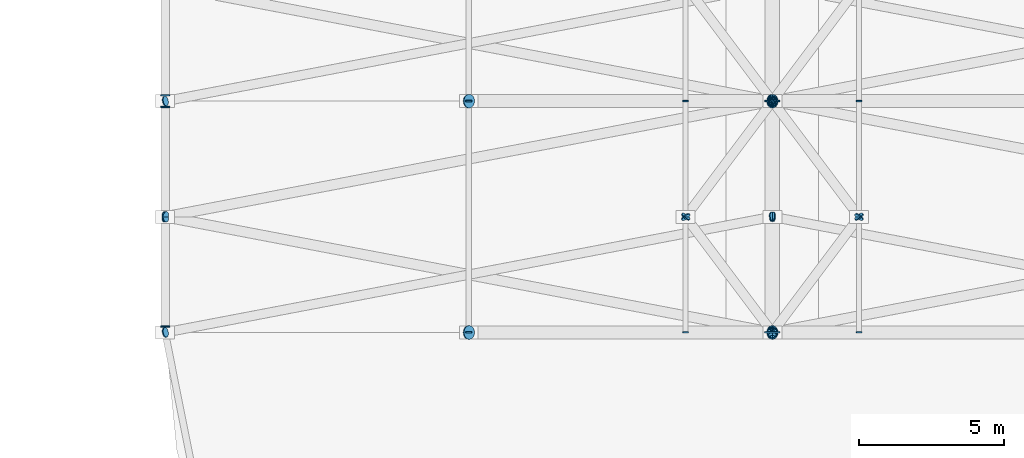
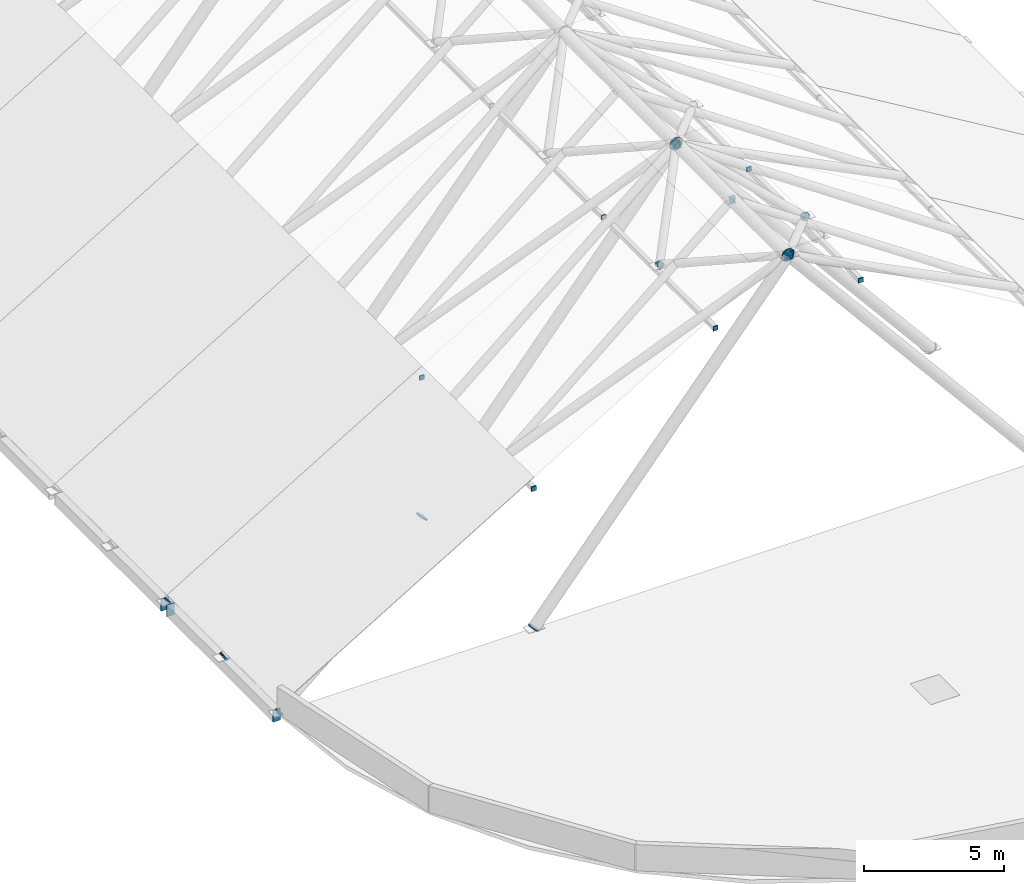
# One storey, part 22 of 44: 43 discrete accessories.
"""IFC4 building model written with IfcOpenShell, lengths in metres."""

from ifc_helpers import new_model, si_unit, direction, frame, origin, origin_2d, place, context, subcontext, project, spatial, rectangle, circle, extrude, material, element, save


model = new_model("IFC4")

# Units and contexts
model_context = context("Model", 3, precision=1e-05, world=origin(), true_north=direction((0.0, 1.0)))
body_context = subcontext(model_context, "Body", "Model", "MODEL_VIEW")
ifc_project = project(units=[si_unit("LENGTHUNIT", "METRE"), si_unit("AREAUNIT", "SQUARE_METRE"), si_unit("VOLUMEUNIT", "CUBIC_METRE"), si_unit("PLANEANGLEUNIT", "RADIAN"), si_unit("MASSUNIT", "GRAM", prefix="KILO")], contexts=[model_context])

# Site, building, storey
site_placement = place(None, origin())
site = spatial("IfcSite", under=ifc_project, at=site_placement, CompositionType="ELEMENT")
building_placement = place(site_placement, origin())
building = spatial("IfcBuilding", under=site, at=building_placement, Name="Marlcrest Central Station", CompositionType="ELEMENT")
storey_placement = place(building_placement, frame((0.0, 0.0, 19.5)))
storey = spatial("IfcBuildingStorey", under=building, at=storey_placement, Name="L04", CompositionType="ELEMENT", Elevation=19.5)

# Discrete accessories
ifc_material = material(Name="Steel S355", Category="steel")
for number, where, z_axis, x_axis, name in (
    (1, (97.490478515625, 22.5, -0.011474609375), (0.640181471429, 0.0, 0.768223719784), (0.0, 1.0, 0.0), "endcap-mem-ST-01-L04-02364-s"),
    (2, (107.98388671875, 22.5, 12.580810546875), (0.640181471429, 0.0, 0.768223719784), (0.0, 1.0, 0.0), "endcap-mem-ST-01-L04-02364-e"),
    (3, (108.01611328125, 22.5, 12.580810546875), (-0.640181471429, 0.0, 0.768223719784), (0.0, -1.0, 0.0), "endcap-mem-ST-01-L04-02365-e"),
    (4, (97.490478515625, 30.5, -0.011474609375), (0.640181471429, 0.0, 0.768223719784), (0.0, 1.0, 0.0), "endcap-mem-ST-01-L04-02366-s"),
    (5, (107.98388671875, 30.5, 12.580810546875), (0.640181471429, 0.0, 0.768223719784), (0.0, 1.0, 0.0), "endcap-mem-ST-01-L04-02366-e"),
    (6, (108.01611328125, 30.5, 12.580810546875), (-0.640181471429, 0.0, 0.768223719784), (0.0, -1.0, 0.0), "endcap-mem-ST-01-L04-02367-e"),
):
    element("IfcDiscreteAccessory", number, at=place(storey_placement, frame(where, z_axis=z_axis, x_axis=x_axis)), inside=storey, material=ifc_material, Name=name, ObjectType="END_CAP_PLATE", PredefinedType="BRACKET", context=body_context, shape_type="SweptSolid", body=[
        extrude(circle(Radius=0.236572265625, at=origin_2d()), origin(), (0.0, 0.0, 1.0), 0.0400390625),
    ])
for number, where, z_axis, x_axis, name in (
    (7, (87.0, 22.68505859375, -0.25), (0.0, 1.0, 0.0), (-1.0, 0.0, 0.0), "endcap-bm-SP-03-L04-01232-s"),
    (8, (87.0, 30.275146484375, -0.25), (0.0, 1.0, 0.0), (-1.0, 0.0, 0.0), "endcap-bm-SP-03-L04-01232-e"),
    (9, (87.0, 30.68505859375, -0.25), (0.0, 1.0, 0.0), (-1.0, 0.0, 0.0), "endcap-bm-SP-03-L04-01247-s"),
):
    element("IfcDiscreteAccessory", number, at=place(storey_placement, frame(where, z_axis=z_axis, x_axis=x_axis)), inside=storey, material=ifc_material, Name=name, ObjectType="END_CAP_PLATE", PredefinedType="BRACKET", context=body_context, shape_type="SweptSolid", body=[
        extrude(rectangle(XDim=0.31591796875, YDim=0.51611328125, at=origin_2d()), origin(), (0.0, 0.0, 1.0), 0.0400390625),
    ])
for number, where, z_axis, x_axis, name in (
    (10, (108.0, 22.485107421875, 12.60009765625), (0.0, 1.0, 0.0), (-1.0, 0.0, 0.0), "endcap-mem-SC-SP-L04-02380-s"),
    (11, (108.0, 30.47509765625, 12.60009765625), (0.0, 1.0, 0.0), (-1.0, 0.0, 0.0), "endcap-mem-SC-SP-L04-02380-e"),
):
    element("IfcDiscreteAccessory", number, at=place(storey_placement, frame(where, z_axis=z_axis, x_axis=x_axis)), inside=storey, material=ifc_material, Name=name, ObjectType="END_CAP_PLATE", PredefinedType="BRACKET", context=body_context, shape_type="SweptSolid", body=[
        extrude(circle(Radius=0.261962890625, at=origin_2d()), origin(), (0.0, 0.0, 1.0), 0.0400390625),
    ])
for number, where, z_axis, x_axis, name in (
    (12, (105.0, 22.485107421875, 10.449951171875), (0.0, 1.0, 0.0), (-1.0, 0.0, 0.0), "endcap-mem-PR-03-L04-02381-s"),
    (13, (105.0, 30.47509765625, 10.449951171875), (0.0, 1.0, 0.0), (-1.0, 0.0, 0.0), "endcap-mem-PR-03-L04-02381-e"),
):
    element("IfcDiscreteAccessory", number, at=place(storey_placement, frame(where, z_axis=z_axis, x_axis=x_axis)), inside=storey, material=ifc_material, Name=name, ObjectType="END_CAP_PLATE", PredefinedType="BRACKET", context=body_context, shape_type="SweptSolid", body=[
        extrude(rectangle(XDim=0.196044921875, YDim=0.196044921875, at=origin_2d()), origin(), (0.0, 0.0, 1.0), 0.0400390625),
    ])
for number, where, z_axis, x_axis, name in (
    (14, (108.008544921875, 22.48876953125, 12.605224609375), (-0.564530690126, 0.752707586834, -0.338727602401), (-0.8, -0.6, 0.0), "endcap-mem-FB-02-L04-02382-s"),
    (15, (105.01416015625, 26.481201171875, 10.80859375), (-0.564530690126, 0.752707586834, -0.338727602401), (-0.8, -0.6, 0.0), "endcap-mem-FB-02-L04-02382-e"),
    (16, (108.008544921875, 30.51123046875, 12.605224609375), (-0.564530690126, -0.752707586834, -0.338727602401), (0.8, -0.6, 0.0), "endcap-mem-FB-02-L04-02383-s"),
    (17, (105.01416015625, 26.518798828125, 10.80859375), (-0.564530690126, -0.752707586834, -0.338727602401), (0.8, -0.6, 0.0), "endcap-mem-FB-02-L04-02383-e"),
):
    element("IfcDiscreteAccessory", number, at=place(storey_placement, frame(where, z_axis=z_axis, x_axis=x_axis)), inside=storey, material=ifc_material, Name=name, ObjectType="END_CAP_PLATE", PredefinedType="BRACKET", context=body_context, shape_type="SweptSolid", body=[
        extrude(circle(Radius=0.169921875, at=origin_2d()), origin(), (0.0, 0.0, 1.0), 0.0400390625),
    ])
for number, where, z_axis, x_axis, name in (
    (18, (111.0, 22.485107421875, 10.449951171875), (0.0, 1.0, 0.0), (-1.0, 0.0, 0.0), "endcap-mem-PR-03-L04-02384-s"),
    (19, (111.0, 30.47509765625, 10.449951171875), (0.0, 1.0, 0.0), (-1.0, 0.0, 0.0), "endcap-mem-PR-03-L04-02384-e"),
):
    element("IfcDiscreteAccessory", number, at=place(storey_placement, frame(where, z_axis=z_axis, x_axis=x_axis)), inside=storey, material=ifc_material, Name=name, ObjectType="END_CAP_PLATE", PredefinedType="BRACKET", context=body_context, shape_type="SweptSolid", body=[
        extrude(rectangle(XDim=0.196044921875, YDim=0.196044921875, at=origin_2d()), origin(), (0.0, 0.0, 1.0), 0.0400390625),
    ])
for number, where, z_axis, x_axis, name in (
    (20, (107.991455078125, 22.48876953125, 12.605224609375), (0.564530690126, 0.752707586834, -0.338727602401), (-0.8, 0.6, 0.0), "endcap-mem-FB-02-L04-02385-s"),
    (21, (110.98583984375, 26.481201171875, 10.80859375), (0.564530690126, 0.752707586834, -0.338727602401), (-0.8, 0.6, 0.0), "endcap-mem-FB-02-L04-02385-e"),
    (22, (107.991455078125, 30.51123046875, 12.605224609375), (0.564530690126, -0.752707586834, -0.338727602401), (0.8, 0.6, 0.0), "endcap-mem-FB-02-L04-02386-s"),
    (23, (110.98583984375, 26.518798828125, 10.80859375), (0.564530690126, -0.752707586834, -0.338727602401), (0.8, 0.6, 0.0), "endcap-mem-FB-02-L04-02386-e"),
):
    element("IfcDiscreteAccessory", number, at=place(storey_placement, frame(where, z_axis=z_axis, x_axis=x_axis)), inside=storey, material=ifc_material, Name=name, ObjectType="END_CAP_PLATE", PredefinedType="BRACKET", context=body_context, shape_type="SweptSolid", body=[
        extrude(circle(Radius=0.169921875, at=origin_2d()), origin(), (0.0, 0.0, 1.0), 0.0400390625),
    ])
for number, where, z_axis, x_axis, name in (
    (24, (108.0126953125, 22.49755859375, 12.607666015625), (-0.846277296716, 0.161195675565, -0.507770313471), (-0.18711210789, -0.982338566422, 0.0), "endcap-mem-FB-01-L04-02387-s"),
    (25, (87.021240234375, 26.495849609375, 0.0126953125), (-0.846277296716, 0.161195675565, -0.507770313471), (-0.18711210789, -0.982338566422, 0.0), "endcap-mem-FB-01-L04-02387-e"),
    (26, (108.0126953125, 30.50244140625, 12.607666015625), (-0.846277296716, -0.161195675565, -0.507770313471), (0.18711210789, -0.982338566422, 0.0), "endcap-mem-FB-01-L04-02388-s"),
    (27, (87.021240234375, 26.504150390625, 0.0126953125), (-0.846277296716, -0.161195675565, -0.507770313471), (0.18711210789, -0.982338566422, 0.0), "endcap-mem-FB-01-L04-02388-e"),
):
    element("IfcDiscreteAccessory", number, at=place(storey_placement, frame(where, z_axis=z_axis, x_axis=x_axis)), inside=storey, material=ifc_material, Name=name, ObjectType="END_CAP_PLATE", PredefinedType="BRACKET", context=body_context, shape_type="SweptSolid", body=[
        extrude(circle(Radius=0.185791015625, at=origin_2d()), origin(), (0.0, 0.0, 1.0), 0.0400390625),
    ])
for number, where, z_axis, x_axis, name in (
    (28, (108.0126953125, 26.50244140625, 12.607666015625), (-0.846277296716, -0.161195675565, -0.507770313471), (0.18711210789, -0.982338566422, 0.0), "endcap-mem-FB-02-L04-02389-s"),
    (29, (87.021240234375, 22.504150390625, 0.0126953125), (-0.846277296716, -0.161195675565, -0.507770313471), (0.18711210789, -0.982338566422, 0.0), "endcap-mem-FB-02-L04-02389-e"),
):
    element("IfcDiscreteAccessory", number, at=place(storey_placement, frame(where, z_axis=z_axis, x_axis=x_axis)), inside=storey, material=ifc_material, Name=name, ObjectType="END_CAP_PLATE", PredefinedType="BRACKET", context=body_context, shape_type="SweptSolid", body=[
        extrude(circle(Radius=0.169921875, at=origin_2d()), origin(), (0.0, 0.0, 1.0), 0.0400390625),
    ])
for number, where, z_axis, x_axis, name in (
    (30, (97.5, 22.485107421875, 6.080078125), (0.0, 1.0, 0.0), (-1.0, 0.0, 0.0), "endcap-mem-PR-03-L04-02390-s"),
    (31, (97.5, 30.47509765625, 6.080078125), (0.0, 1.0, 0.0), (-1.0, 0.0, 0.0), "endcap-mem-PR-03-L04-02390-e"),
):
    element("IfcDiscreteAccessory", number, at=place(storey_placement, frame(where, z_axis=z_axis, x_axis=x_axis)), inside=storey, material=ifc_material, Name=name, ObjectType="END_CAP_PLATE", PredefinedType="BRACKET", context=body_context, shape_type="SweptSolid", body=[
        extrude(rectangle(XDim=0.196044921875, YDim=0.196044921875, at=origin_2d()), origin(), (0.0, 0.0, 1.0), 0.0400390625),
    ])
for number, where, z_axis, x_axis, name in (
    (32, (107.9873046875, 22.49755859375, 12.607666015625), (0.846277296716, 0.161195675565, -0.507770313471), (-0.18711210789, 0.982338566422, 0.0), "endcap-mem-FB-01-L04-02391-s"),
    (33, (107.9873046875, 30.50244140625, 12.607666015625), (0.846277296716, -0.161195675565, -0.507770313471), (0.18711210789, 0.982338566422, 0.0), "endcap-mem-FB-01-L04-02392-s"),
):
    element("IfcDiscreteAccessory", number, at=place(storey_placement, frame(where, z_axis=z_axis, x_axis=x_axis)), inside=storey, material=ifc_material, Name=name, ObjectType="END_CAP_PLATE", PredefinedType="BRACKET", context=body_context, shape_type="SweptSolid", body=[
        extrude(circle(Radius=0.185791015625, at=origin_2d()), origin(), (0.0, 0.0, 1.0), 0.0400390625),
    ])
discrete_accessory_1_placement = place(storey_placement, frame((107.9873046875, 26.50244140625, 12.607666015625), z_axis=(0.846277296716, -0.161195675565, -0.507770313471), x_axis=(0.18711210789, 0.982338566422, 0.0)))
element("IfcDiscreteAccessory", 34, at=discrete_accessory_1_placement, inside=storey, material=ifc_material, Name="endcap-mem-FB-02-L04-02393-s", ObjectType="END_CAP_PLATE", PredefinedType="BRACKET", context=body_context, shape_type="SweptSolid", body=[
    extrude(circle(Radius=0.169921875, at=origin_2d()), origin(), (0.0, 0.0, 1.0), 0.0400390625),
])
discrete_accessory_2_placement = place(storey_placement, frame((108.0, 30.485107421875, 12.60009765625), z_axis=(0.0, 1.0, 0.0), x_axis=(-1.0, 0.0, 0.0)))
element("IfcDiscreteAccessory", 35, at=discrete_accessory_2_placement, inside=storey, material=ifc_material, Name="endcap-mem-SC-SP-L04-02395-s", ObjectType="END_CAP_PLATE", PredefinedType="BRACKET", context=body_context, shape_type="SweptSolid", body=[
    extrude(circle(Radius=0.261962890625, at=origin_2d()), origin(), (0.0, 0.0, 1.0), 0.0400390625),
])
discrete_accessory_3_placement = place(storey_placement, frame((105.0, 30.485107421875, 10.449951171875), z_axis=(0.0, 1.0, 0.0), x_axis=(-1.0, 0.0, 0.0)))
element("IfcDiscreteAccessory", 36, at=discrete_accessory_3_placement, inside=storey, material=ifc_material, Name="endcap-mem-PR-03-L04-02396-s", ObjectType="END_CAP_PLATE", PredefinedType="BRACKET", context=body_context, shape_type="SweptSolid", body=[
    extrude(rectangle(XDim=0.196044921875, YDim=0.196044921875, at=origin_2d()), origin(), (0.0, 0.0, 1.0), 0.0400390625),
])
discrete_accessory_4_placement = place(storey_placement, frame((108.008544921875, 30.48876953125, 12.605224609375), z_axis=(-0.564530690126, 0.752707586834, -0.338727602401), x_axis=(-0.8, -0.6, 0.0)))
element("IfcDiscreteAccessory", 37, at=discrete_accessory_4_placement, inside=storey, material=ifc_material, Name="endcap-mem-FB-02-L04-02397-s", ObjectType="END_CAP_PLATE", PredefinedType="BRACKET", context=body_context, shape_type="SweptSolid", body=[
    extrude(circle(Radius=0.169921875, at=origin_2d()), origin(), (0.0, 0.0, 1.0), 0.0400390625),
])
discrete_accessory_5_placement = place(storey_placement, frame((111.0, 30.485107421875, 10.449951171875), z_axis=(0.0, 1.0, 0.0), x_axis=(-1.0, 0.0, 0.0)))
element("IfcDiscreteAccessory", 38, at=discrete_accessory_5_placement, inside=storey, material=ifc_material, Name="endcap-mem-PR-03-L04-02399-s", ObjectType="END_CAP_PLATE", PredefinedType="BRACKET", context=body_context, shape_type="SweptSolid", body=[
    extrude(rectangle(XDim=0.196044921875, YDim=0.196044921875, at=origin_2d()), origin(), (0.0, 0.0, 1.0), 0.0400390625),
])
discrete_accessory_6_placement = place(storey_placement, frame((107.991455078125, 30.48876953125, 12.605224609375), z_axis=(0.564530690126, 0.752707586834, -0.338727602401), x_axis=(-0.8, 0.6, 0.0)))
element("IfcDiscreteAccessory", 39, at=discrete_accessory_6_placement, inside=storey, material=ifc_material, Name="endcap-mem-FB-02-L04-02400-s", ObjectType="END_CAP_PLATE", PredefinedType="BRACKET", context=body_context, shape_type="SweptSolid", body=[
    extrude(circle(Radius=0.169921875, at=origin_2d()), origin(), (0.0, 0.0, 1.0), 0.0400390625),
])
discrete_accessory_7_placement = place(storey_placement, frame((108.0126953125, 30.49755859375, 12.607666015625), z_axis=(-0.846277296716, 0.161195675565, -0.507770313471), x_axis=(-0.18711210789, -0.982338566422, 0.0)))
element("IfcDiscreteAccessory", 40, at=discrete_accessory_7_placement, inside=storey, material=ifc_material, Name="endcap-mem-FB-01-L04-02402-s", ObjectType="END_CAP_PLATE", PredefinedType="BRACKET", context=body_context, shape_type="SweptSolid", body=[
    extrude(circle(Radius=0.185791015625, at=origin_2d()), origin(), (0.0, 0.0, 1.0), 0.0400390625),
])
discrete_accessory_8_placement = place(storey_placement, frame((87.021240234375, 30.504150390625, 0.0126953125), z_axis=(-0.846277296716, -0.161195675565, -0.507770313471), x_axis=(0.18711210789, -0.982338566422, 0.0)))
element("IfcDiscreteAccessory", 41, at=discrete_accessory_8_placement, inside=storey, material=ifc_material, Name="endcap-mem-FB-02-L04-02404-e", ObjectType="END_CAP_PLATE", PredefinedType="BRACKET", context=body_context, shape_type="SweptSolid", body=[
    extrude(circle(Radius=0.169921875, at=origin_2d()), origin(), (0.0, 0.0, 1.0), 0.0400390625),
])
discrete_accessory_9_placement = place(storey_placement, frame((97.5, 30.485107421875, 6.080078125), z_axis=(0.0, 1.0, 0.0), x_axis=(-1.0, 0.0, 0.0)))
element("IfcDiscreteAccessory", 42, at=discrete_accessory_9_placement, inside=storey, material=ifc_material, Name="endcap-mem-PR-03-L04-02405-s", ObjectType="END_CAP_PLATE", PredefinedType="BRACKET", context=body_context, shape_type="SweptSolid", body=[
    extrude(rectangle(XDim=0.196044921875, YDim=0.196044921875, at=origin_2d()), origin(), (0.0, 0.0, 1.0), 0.0400390625),
])
discrete_accessory_10_placement = place(storey_placement, frame((107.9873046875, 30.49755859375, 12.607666015625), z_axis=(0.846277296716, 0.161195675565, -0.507770313471), x_axis=(-0.18711210789, 0.982338566422, 0.0)))
element("IfcDiscreteAccessory", 43, at=discrete_accessory_10_placement, inside=storey, material=ifc_material, Name="endcap-mem-FB-01-L04-02406-s", ObjectType="END_CAP_PLATE", PredefinedType="BRACKET", context=body_context, shape_type="SweptSolid", body=[
    extrude(circle(Radius=0.185791015625, at=origin_2d()), origin(), (0.0, 0.0, 1.0), 0.0400390625),
])

save(model, "model.ifc")
